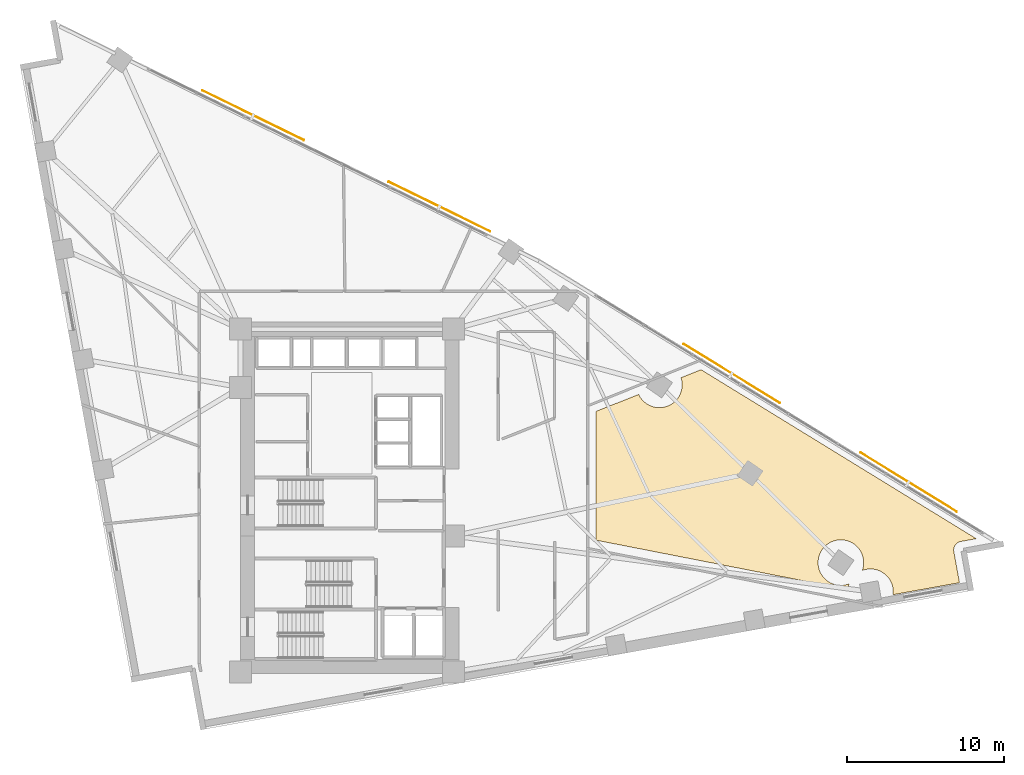
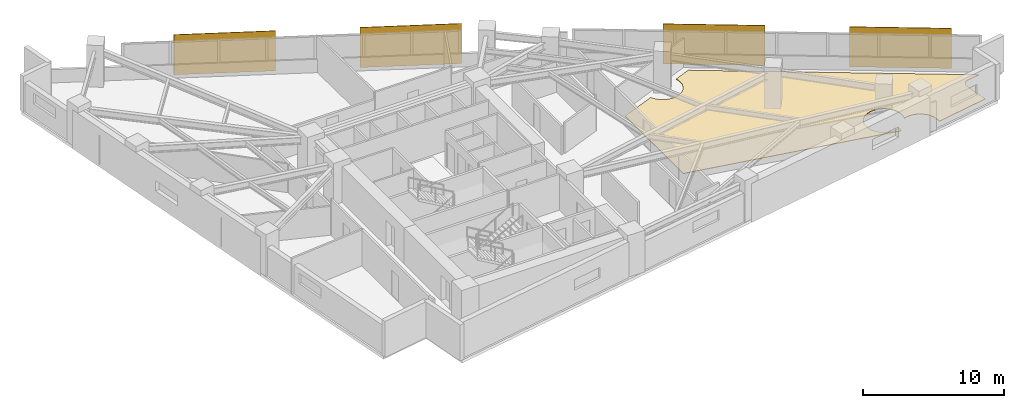
# One storey, part 20 of 20: 4 shading devices, 1 covering.
"""IFC4 building model written with IfcOpenShell, lengths in metres."""

from ifc_helpers import new_model, si_unit, direction, frame, origin, origin_2d, place, context, subcontext, project, spatial, polyline, rectangle, outline, extrude, material, layer, layer_set, type_object, element, save


model = new_model("IFC4")

# Units and contexts
model_context = context("Model", 3, precision=1e-05, world=origin(), true_north=direction((0.0, 1.0)))
body_context = subcontext(model_context, "Body", "Model", "MODEL_VIEW")
ifc_project = project(units=[si_unit("LENGTHUNIT", "METRE"), si_unit("AREAUNIT", "SQUARE_METRE"), si_unit("VOLUMEUNIT", "CUBIC_METRE"), si_unit("PLANEANGLEUNIT", "RADIAN"), si_unit("MASSUNIT", "GRAM", prefix="KILO")], contexts=[model_context])

# Site, building, storey
site_placement = place(None, origin())
site = spatial("IfcSite", under=ifc_project, at=site_placement, CompositionType="ELEMENT")
building_placement = place(site_placement, origin())
building = spatial("IfcBuilding", under=site, at=building_placement, Name="Narakoshi Arena Tower", CompositionType="ELEMENT")
storey_placement = place(building_placement, frame((0.0, 0.0, 124.5)))
storey = spatial("IfcBuildingStorey", under=building, at=storey_placement, Name="L33", CompositionType="ELEMENT", Elevation=124.5)

# Covering
ifc_material_1 = material(Name="Raised steel access floor panel", Category="steel")
ifc_layer_1 = layer(ifc_material_1, 0.044921875)
ifc_layer_set_1 = layer_set([ifc_layer_1], Name="Raised steel access floor panel")
covering_type = type_object("IfcCoveringType", Name="COV-FLR-RF45", PredefinedType="FLOORING", material=ifc_layer_set_1)
covering_placement = place(storey_placement, origin())
element("IfcCovering", 1, at=covering_placement, inside=storey, type_object=covering_type, Name="L33 Raised Steel Access Floor", PredefinedType="FLOORING", context=body_context, shape_type="SweptSolid", body=[
    extrude(outline(polyline([(117.8193359375, 42.995361328125), (117.766845703125, 42.983154296875), (117.715576171875, 42.9658203125), (117.66650390625, 42.943603515625), (117.61962890625, 42.916748046875), (117.57568359375, 42.88525390625), (117.53515625, 42.849609375), (117.498291015625, 42.810302734375), (117.46533203125, 42.767578125), (117.436767578125, 42.7216796875), (117.412841796875, 42.67333984375), (117.393798828125, 42.622802734375), (117.379638671875, 42.57080078125), (117.370849609375, 42.517578125), (117.3671875, 42.463623046875), (117.368896484375, 42.409912109375), (117.3759765625, 42.356201171875), (117.734619140625, 40.372314453125), (113.506103515625, 39.607421875), (113.51318359375, 39.65576171875), (113.520263671875, 39.7978515625), (113.51318359375, 39.93994140625), (113.492431640625, 40.080810546875), (113.4580078125, 40.21875), (113.409912109375, 40.352783203125), (113.34912109375, 40.4814453125), (113.27587890625, 40.603515625), (113.191162109375, 40.7177734375), (113.095703125, 40.8232421875), (112.990234375, 40.918701171875), (112.8759765625, 41.00341796875), (112.75390625, 41.07666015625), (112.625244140625, 41.137451171875), (112.4912109375, 41.185546875), (112.353271484375, 41.219970703125), (112.21240234375, 41.240966796875), (112.0703125, 41.247802734375), (111.92822265625, 41.240966796875), (111.787353515625, 41.219970703125), (111.6494140625, 41.185546875), (111.548095703125, 41.149169921875), (111.576904296875, 41.229248046875), (111.611328125, 41.3671875), (111.632080078125, 41.508056640625), (111.63916015625, 41.650146484375), (111.632080078125, 41.792236328125), (111.611328125, 41.93310546875), (111.576904296875, 42.071044921875), (111.52880859375, 42.205078125), (111.468017578125, 42.333740234375), (111.394775390625, 42.455810546875), (111.31005859375, 42.570068359375), (111.214599609375, 42.675537109375), (111.109130859375, 42.77099609375), (110.994873046875, 42.855712890625), (110.872802734375, 42.928955078125), (110.744140625, 42.98974609375), (110.610107421875, 43.037841796875), (110.47216796875, 43.072265625), (110.331298828125, 43.09326171875), (110.189208984375, 43.10009765625), (110.047119140625, 43.09326171875), (109.90625, 43.072265625), (109.768310546875, 43.037841796875), (109.63427734375, 42.98974609375), (109.505615234375, 42.928955078125), (109.383544921875, 42.855712890625), (109.269287109375, 42.77099609375), (109.163818359375, 42.675537109375), (109.068359375, 42.570068359375), (108.983642578125, 42.455810546875), (108.910400390625, 42.333740234375), (108.849609375, 42.205078125), (108.801513671875, 42.071044921875), (108.76708984375, 41.93310546875), (108.74609375, 41.792236328125), (108.7392578125, 41.650146484375), (108.74609375, 41.508056640625), (108.76708984375, 41.3671875), (108.801513671875, 41.229248046875), (108.849609375, 41.09521484375), (108.910400390625, 40.966796875), (108.983642578125, 40.844482421875), (109.068359375, 40.730224609375), (109.163818359375, 40.625), (109.269287109375, 40.529296875), (109.383544921875, 40.444580078125), (109.505615234375, 40.371337890625), (109.63427734375, 40.310546875), (109.768310546875, 40.2626953125), (109.90625, 40.22802734375), (110.047119140625, 40.207275390625), (110.189208984375, 40.2001953125), (110.331298828125, 40.207275390625), (110.47216796875, 40.22802734375), (110.610107421875, 40.2626953125), (110.71142578125, 40.298828125), (110.6826171875, 40.21875), (110.648193359375, 40.080810546875), (110.62744140625, 39.94140625), (94.623779296875, 43.07470703125), (94.623779296875, 51.2763671875), (97.327392578125, 52.349609375), (97.362548828125, 52.275146484375), (97.435791015625, 52.153076171875), (97.5205078125, 52.038818359375), (97.6162109375, 51.933349609375), (97.721435546875, 51.837646484375), (97.835693359375, 51.7529296875), (97.9580078125, 51.6796875), (98.08642578125, 51.618896484375), (98.220458984375, 51.571044921875), (98.3583984375, 51.53662109375), (98.499267578125, 51.515625), (98.641357421875, 51.508544921875), (98.783447265625, 51.515625), (98.92431640625, 51.53662109375), (99.062255859375, 51.571044921875), (99.1962890625, 51.618896484375), (99.324951171875, 51.6796875), (99.447021484375, 51.7529296875), (99.561279296875, 51.837646484375), (99.666748046875, 51.933349609375), (99.76220703125, 52.038818359375), (99.846923828125, 52.153076171875), (99.920166015625, 52.275146484375), (99.98095703125, 52.40380859375), (100.029052734375, 52.53759765625), (100.0634765625, 52.67578125), (100.08447265625, 52.81640625), (100.09130859375, 52.95849609375), (100.08447265625, 53.1005859375), (100.0634765625, 53.241455078125), (100.029052734375, 53.37939453125), (100.015625, 53.416748046875), (101.294677734375, 53.92431640625), (118.80029296875, 43.172607421875), (117.8193359375, 42.995361328125)])), origin(), (0.0, 0.0, 1.0), 0.044921875),
])

# Shading devices
ifc_material_2 = material(Name="Perforated bronze ceramic-metal composite")
ifc_layer_2 = layer(ifc_material_2, 0.044921875)
ifc_layer_set_2 = layer_set([ifc_layer_2], Name="Perforated bronze ceramic-metal composite")
shading_device_type = type_object("IfcShadingDeviceType", Name="SHD-SCR-BRZ1", PredefinedType="USERDEFINED", material=ifc_layer_set_2)
for number, where, z_axis, x_axis, name in (
    (2, (114.495849609375, 46.77001953125, 0.0), (0.0, 0.0, 1.0), (-0.852110807003, 0.523361416794, 0.0), "L33 Perforated Bronze Solar Screen 1-1"),
    (3, (103.247802734375, 53.67822265625, 0.0), (0.0, 0.0, 1.0), (-0.852110807003, 0.523361416794, 0.0), "L33 Perforated Bronze Solar Screen 1-2"),
    (4, (84.6494140625, 64.297119140625, 0.0), (0.0, 0.0, 1.0), (-0.897996860024, 0.440001862936, 0.0), "L33 Perforated Bronze Solar Screen 2-1"),
    (5, (72.7958984375, 70.105224609375, 0.0), (0.0, 0.0, 1.0), (-0.897996860024, 0.440001862936, 0.0), "L33 Perforated Bronze Solar Screen 2-2"),
):
    element("IfcShadingDevice", number, at=place(storey_placement, frame(where, z_axis=z_axis, x_axis=x_axis)), inside=storey, type_object=shading_device_type, Name=name, ObjectType="SOLAR SCREEN", PredefinedType="USERDEFINED", context=body_context, shape_type="SweptSolid", body=[
        extrude(rectangle(XDim=7.199951171875, YDim=0.044921875, at=origin_2d()), origin(), (0.0, 0.0, 1.0), 3.449951171875),
    ])

save(model, "model.ifc")
